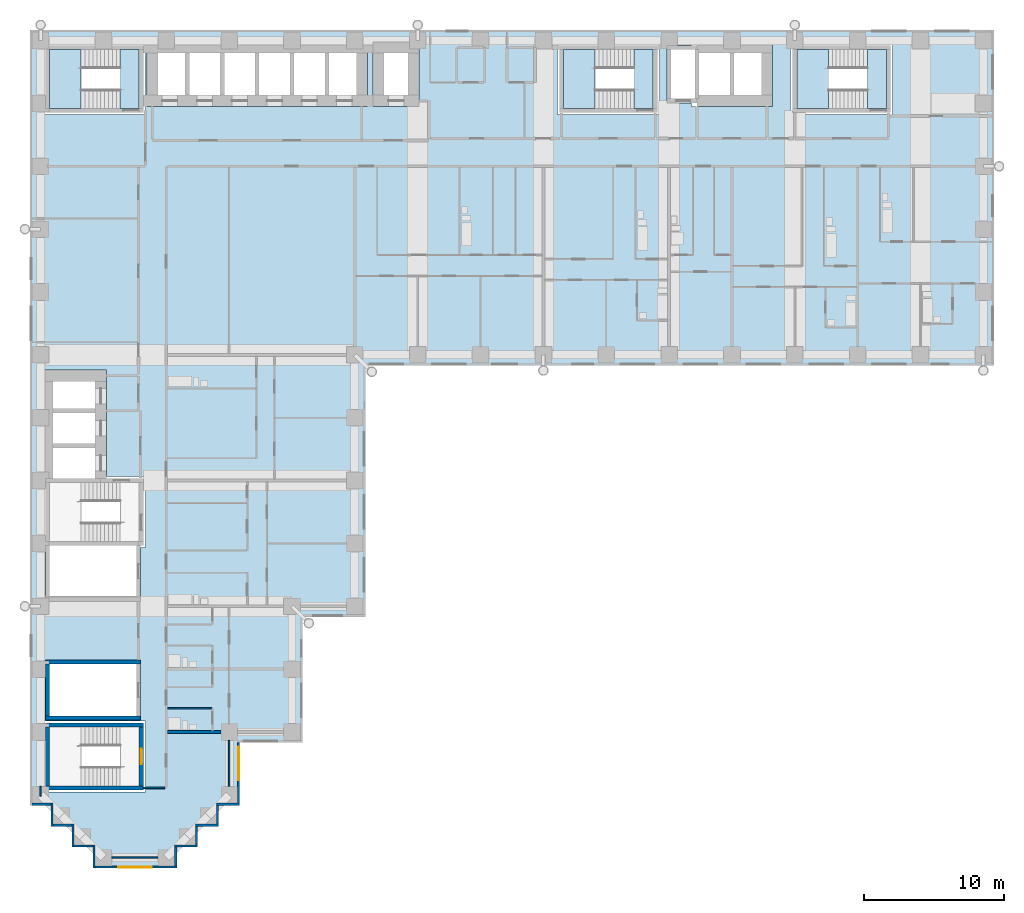
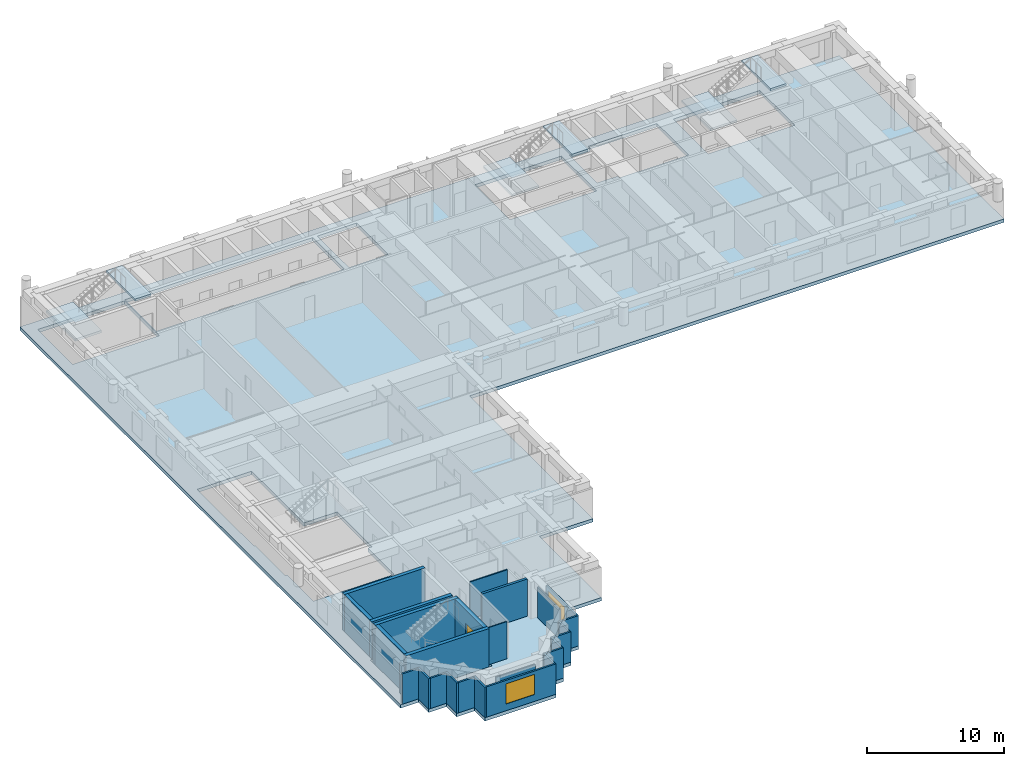
# One storey, part 3 of 14: 27 walls, 7 slabs, 2 windows, 1 door, 3 openings, 3 elements without a shape of their own.
"""IFC4 building model written with IfcOpenShell, lengths in metres."""

from ifc_helpers import new_model, si_unit, direction, frame, frame_2d, origin, place, context, subcontext, project, spatial, polyline, rectangle, outline, extrude, material, layer, layer_set, type_object, element, fill, aggregate, save


model = new_model("IFC4")

# Units and contexts
model_context = context("Model", 3, precision=1e-05, world=origin(), true_north=direction((0.0, 1.0)))
body_context = subcontext(model_context, "Body", "Model", "MODEL_VIEW")
ifc_project = project(units=[si_unit("LENGTHUNIT", "METRE"), si_unit("AREAUNIT", "SQUARE_METRE"), si_unit("VOLUMEUNIT", "CUBIC_METRE"), si_unit("PLANEANGLEUNIT", "RADIAN"), si_unit("MASSUNIT", "GRAM", prefix="KILO")], contexts=[model_context])

# Site, building, storey
site_placement = place(None, origin())
site = spatial("IfcSite", under=ifc_project, at=site_placement, CompositionType="ELEMENT")
building_placement = place(site_placement, origin())
building = spatial("IfcBuilding", under=site, at=building_placement, Name="Firuza Court", CompositionType="ELEMENT")
storey_placement = place(building_placement, frame((0.0, 0.0, 68.60009765625)))
storey = spatial("IfcBuildingStorey", under=building, at=storey_placement, Name="L16", CompositionType="ELEMENT", Elevation=68.60009765625)

# Slab
ifc_material_1 = material(Name="Concrete C40/50", Category="concrete")
ifc_layer_1 = layer(ifc_material_1, 0.300048828125)
ifc_layer_set_1 = layer_set([ifc_layer_1], Name="Concrete C40/50")
slab_type_1 = type_object("IfcSlabType", Name="Floor slab 300 C40/50", PredefinedType="FLOOR", material=ifc_layer_set_1)
slab_1_placement = place(storey_placement, frame((0.0, 0.0, -0.300048828125)))
element("IfcSlab", 1, at=slab_1_placement, inside=storey, type_object=slab_type_1, Name="Floor slab L16", PredefinedType="FLOOR", context=body_context, shape_type="SweptSolid", body=[
    extrude(outline(polyline([(3.75, -0.75), (3.75, 0.75), (2.25, 0.75), (2.25, 2.25), (0.75, 2.25), (0.75, 3.75), (-0.75, 3.75), (-0.75, 59.25), (68.25, 59.25), (68.25, 35.25), (23.25, 35.25), (23.25, 17.25), (18.75, 17.25), (18.75, 8.25), (14.25, 8.25), (14.25, 3.75), (12.75, 3.75), (12.75, 2.25), (11.25, 2.25), (11.25, 0.75), (9.75, 0.75), (9.75, -0.75), (3.75, -0.75)]), holes=[polyline([(7.5, 9.800048828125), (0.199951171875, 9.800048828125), (0.199951171875, 4.699951171875), (7.5, 4.699951171875), (7.5, 9.800048828125)]), polyline([(7.14990234375, 14.14990234375), (0.35009765625, 14.14990234375), (0.35009765625, 9.85009765625), (7.14990234375, 9.85009765625), (7.14990234375, 14.14990234375)]), polyline([(0.199951171875, 22.199951171875), (0.35009765625, 22.199951171875), (0.35009765625, 18.35009765625), (7.14990234375, 18.35009765625), (7.14990234375, 22.199951171875), (7.5, 22.199951171875), (7.5, 27.300048828125), (4.699951171875, 27.300048828125), (4.699951171875, 29.10009765625), (4.699951171875, 29.89990234375), (4.699951171875, 31.60009765625), (4.699951171875, 32.39990234375), (4.699951171875, 34.89990234375), (0.10009765625, 34.89990234375), (0.10009765625, 32.39990234375), (0.10009765625, 31.60009765625), (0.10009765625, 29.89990234375), (0.10009765625, 29.10009765625), (0.10009765625, 26.60009765625), (0.199951171875, 26.60009765625), (0.199951171875, 22.199951171875)]), polyline([(7.5, 58.300048828125), (0.199951171875, 58.300048828125), (0.199951171875, 53.199951171875), (7.5, 53.199951171875), (7.5, 58.300048828125)]), polyline([(10.10009765625, 58.39990234375), (7.60009765625, 58.39990234375), (7.60009765625, 53.800048828125), (10.10009765625, 53.800048828125), (10.89990234375, 53.800048828125), (12.60009765625, 53.800048828125), (13.39990234375, 53.800048828125), (15.10009765625, 53.800048828125), (15.89990234375, 53.800048828125), (17.60009765625, 53.800048828125), (18.39990234375, 53.800048828125), (20.10009765625, 53.800048828125), (20.89990234375, 53.800048828125), (23.39990234375, 53.800048828125), (23.39990234375, 58.39990234375), (20.89990234375, 58.39990234375), (20.10009765625, 58.39990234375), (18.39990234375, 58.39990234375), (17.60009765625, 58.39990234375), (15.89990234375, 58.39990234375), (15.10009765625, 58.39990234375), (13.39990234375, 58.39990234375), (12.60009765625, 58.39990234375), (10.89990234375, 58.39990234375), (10.10009765625, 58.39990234375)]), polyline([(44.300048828125, 58.300048828125), (37.0, 58.300048828125), (37.0, 53.199951171875), (44.300048828125, 53.199951171875), (44.300048828125, 58.300048828125)]), polyline([(61.0, 58.300048828125), (53.699951171875, 58.300048828125), (53.699951171875, 53.199951171875), (61.0, 53.199951171875), (61.0, 58.300048828125)]), polyline([(27.10009765625, 58.39990234375), (23.800048828125, 58.39990234375), (23.800048828125, 53.800048828125), (27.10009765625, 53.800048828125), (27.10009765625, 58.39990234375)]), polyline([(46.60009765625, 58.14990234375), (44.85009765625, 58.14990234375), (44.85009765625, 54.050048828125), (46.60009765625, 54.050048828125), (46.60009765625, 53.800048828125), (49.10009765625, 53.800048828125), (49.89990234375, 53.800048828125), (52.39990234375, 53.800048828125), (52.39990234375, 58.39990234375), (49.89990234375, 58.39990234375), (49.10009765625, 58.39990234375), (46.60009765625, 58.39990234375), (46.60009765625, 58.14990234375)])]), origin(), (0.0, 0.0, 1.0), 0.300048828125),
])

# Stair, slabs
ifc_material_2 = material(Name="Concrete C40/50 precast", Category="concrete")
stair_type = type_object("IfcStairType", Name="Stair 1350 x 3600 2 flights", PredefinedType="HALF_TURN_STAIR", material=ifc_material_2)
stair_1_placement = place(storey_placement, origin())
stair_1 = element("IfcStair", 2, at=stair_1_placement, inside=storey, type_object=stair_type, Name="Stair 1 L16", PredefinedType="HALF_TURN_STAIR")
ifc_material_3 = material(Name="Concrete C40/50 precast", Category="concrete")
ifc_layer_2 = layer(ifc_material_3, 0.199951171875)
ifc_layer_set_2 = layer_set([ifc_layer_2], Name="Concrete C40/50 precast")
slab_type_2 = type_object("IfcSlabType", Name="Stair landing 200", PredefinedType="LANDING", material=ifc_layer_set_2)
slab_2_placement = place(storey_placement, frame((0.0, 0.0, 1.599853515625)))
slab_2 = element("IfcSlab", 3, at=slab_2_placement, type_object=slab_type_2, Name="S1 landing 1", PredefinedType="LANDING", context=body_context, shape_type="SweptSolid", body=[
    extrude(outline(polyline([(39.699951171875, 53.64990234375), (39.699951171875, 57.85009765625), (37.449951171875, 57.85009765625), (37.449951171875, 53.64990234375), (39.699951171875, 53.64990234375)])), origin(), (0.0, 0.0, 1.0), 0.199951171875),
])
slab_3_placement = place(storey_placement, frame((0.0, 0.0, 3.39990234375)))
slab_3 = element("IfcSlab", 4, at=slab_3_placement, type_object=slab_type_2, Name="S1 landing 2", PredefinedType="LANDING", context=body_context, shape_type="SweptSolid", body=[
    extrude(outline(polyline([(43.85009765625, 53.64990234375), (43.85009765625, 57.85009765625), (42.5, 57.85009765625), (42.5, 53.64990234375), (43.85009765625, 53.64990234375)])), origin(), (0.0, 0.0, 1.0), 0.199951171875),
])
aggregate(stair_1, [slab_2, slab_3])

stair_2_placement = place(storey_placement, origin())
stair_2 = element("IfcStair", 5, at=stair_2_placement, inside=storey, type_object=stair_type, Name="Stair 3 L16", PredefinedType="HALF_TURN_STAIR")
slab_4_placement = place(storey_placement, frame((0.0, 0.0, 1.599853515625)))
slab_4 = element("IfcSlab", 6, at=slab_4_placement, type_object=slab_type_2, Name="S3 landing 1", PredefinedType="LANDING", context=body_context, shape_type="SweptSolid", body=[
    extrude(outline(polyline([(2.89990234375, 53.64990234375), (2.89990234375, 57.85009765625), (0.64990234375, 57.85009765625), (0.64990234375, 53.64990234375), (2.89990234375, 53.64990234375)])), origin(), (0.0, 0.0, 1.0), 0.199951171875),
])
slab_5_placement = place(storey_placement, frame((0.0, 0.0, 3.39990234375)))
slab_5 = element("IfcSlab", 7, at=slab_5_placement, type_object=slab_type_2, Name="S3 landing 2", PredefinedType="LANDING", context=body_context, shape_type="SweptSolid", body=[
    extrude(outline(polyline([(7.050048828125, 53.64990234375), (7.050048828125, 57.85009765625), (5.699951171875, 57.85009765625), (5.699951171875, 53.64990234375), (7.050048828125, 53.64990234375)])), origin(), (0.0, 0.0, 1.0), 0.199951171875),
])
aggregate(stair_2, [slab_4, slab_5])

stair_3_placement = place(storey_placement, origin())
stair_3 = element("IfcStair", 8, at=stair_3_placement, inside=storey, type_object=stair_type, Name="Stair 4 L16", PredefinedType="HALF_TURN_STAIR")
slab_6_placement = place(storey_placement, frame((0.0, 0.0, 1.599853515625)))
slab_6 = element("IfcSlab", 9, at=slab_6_placement, type_object=slab_type_2, Name="S4 landing 1", PredefinedType="LANDING", context=body_context, shape_type="SweptSolid", body=[
    extrude(outline(polyline([(56.39990234375, 53.64990234375), (56.39990234375, 57.85009765625), (54.14990234375, 57.85009765625), (54.14990234375, 53.64990234375), (56.39990234375, 53.64990234375)])), origin(), (0.0, 0.0, 1.0), 0.199951171875),
])
slab_7_placement = place(storey_placement, frame((0.0, 0.0, 3.39990234375)))
slab_7 = element("IfcSlab", 10, at=slab_7_placement, type_object=slab_type_2, Name="S4 landing 2", PredefinedType="LANDING", context=body_context, shape_type="SweptSolid", body=[
    extrude(outline(polyline([(60.550048828125, 53.64990234375), (60.550048828125, 57.85009765625), (59.199951171875, 57.85009765625), (59.199951171875, 53.64990234375), (60.550048828125, 53.64990234375)])), origin(), (0.0, 0.0, 1.0), 0.199951171875),
])
aggregate(stair_3, [slab_6, slab_7])

# Walls
ifc_material_4 = material(Name="Moisture-resistant gypsum board partition")
ifc_layer_3 = layer(ifc_material_4, 0.10009765625)
ifc_layer_set_3 = layer_set([ifc_layer_3], Name="Moisture-resistant gypsum board partition")
wall_type_1 = type_object("IfcWallType", Name="Bathroom partition 100", PredefinedType="PLUMBINGWALL", material=ifc_layer_set_3)
wall_1_placement = place(storey_placement, frame((9.10009765625, 10.699951171875, 0.0), z_axis=(0.0, 0.0, 1.0), x_axis=(1.0, 0.0, 0.0)))
element("IfcWall", 11, at=wall_1_placement, inside=storey, type_object=wall_type_1, Name="Bathroom partition 100 L16", PredefinedType="PLUMBINGWALL", context=body_context, shape_type="SweptSolid", body=[
    extrude(rectangle(XDim=3.14990234375, YDim=0.10009765625, at=frame_2d((1.574951171875, 0.0))), origin(), (0.0, 0.0, 1.0), 3.2998046875),
])
ifc_material_5 = material(Name="Concrete C60/75", Category="concrete")
ifc_layer_4 = layer(ifc_material_5, 0.300048828125)
ifc_layer_set_4 = layer_set([ifc_layer_4], Name="Concrete C60/75")
wall_type_2 = type_object("IfcWallType", Name="Core wall 300 C60/75", PredefinedType="SHEAR", material=ifc_layer_set_4)
for number, where, z_axis, x_axis, name in (
    (12, (0.35009765625, 5.0, -0.300048828125), (0.0, 0.0, 1.0), (1.0, 0.0, 0.0), "Core wall stair L16"),
    (13, (0.35009765625, 9.5, -0.300048828125), (0.0, 0.0, 1.0), (1.0, 0.0, 0.0), "Core wall stair L16"),
):
    element("IfcWall", number, at=place(storey_placement, frame(where, z_axis=z_axis, x_axis=x_axis)), inside=storey, type_object=wall_type_2, Name=name, PredefinedType="SHEAR", context=body_context, shape_type="SweptSolid", body=[
        extrude(rectangle(XDim=7.0, YDim=0.300048828125, at=frame_2d((3.5, 0.0))), origin(), (0.0, 0.0, 1.0), 3.599853515625),
    ])
for number, where, z_axis, x_axis, name in (
    (14, (0.35009765625, 10.0, -0.300048828125), (0.0, 0.0, 1.0), (1.0, 0.0, 0.0), "Core wall riser L16"),
    (15, (0.35009765625, 14.0, -0.300048828125), (0.0, 0.0, 1.0), (1.0, 0.0, 0.0), "Core wall riser L16"),
):
    element("IfcWall", number, at=place(storey_placement, frame(where, z_axis=z_axis, x_axis=x_axis)), inside=storey, type_object=wall_type_2, Name=name, PredefinedType="SHEAR", context=body_context, shape_type="SweptSolid", body=[
        extrude(rectangle(XDim=6.7998046875, YDim=0.300048828125, at=frame_2d((3.39990234375, 0.0))), origin(), (0.0, 0.0, 1.0), 3.599853515625),
    ])
wall_2_placement = place(storey_placement, frame((0.5, 5.14990234375, -0.300048828125), z_axis=(0.0, 0.0, 1.0), x_axis=(0.0, 1.0, 0.0)))
element("IfcWall", 16, at=wall_2_placement, inside=storey, type_object=wall_type_2, Name="Core wall stair L16", PredefinedType="SHEAR", context=body_context, shape_type="SweptSolid", body=[
    extrude(rectangle(XDim=4.2001953125, YDim=0.300048828125, at=frame_2d((2.10009765625, 0.0))), origin(), (0.0, 0.0, 1.0), 3.599853515625),
])
wall_3_placement = place(storey_placement, frame((0.5, 10.14990234375, -0.300048828125), z_axis=(0.0, 0.0, 1.0), x_axis=(0.0, 1.0, 0.0)))
element("IfcWall", 17, at=wall_3_placement, inside=storey, type_object=wall_type_2, Name="Core wall riser L16", PredefinedType="SHEAR", context=body_context, shape_type="SweptSolid", body=[
    extrude(rectangle(XDim=3.7001953125, YDim=0.300048828125, at=frame_2d((1.85009765625, 0.0))), origin(), (0.0, 0.0, 1.0), 3.599853515625),
])

# Wall, opening, door
wall_4_placement = place(storey_placement, frame((7.199951171875, 5.14990234375, -0.300048828125), z_axis=(0.0, 0.0, 1.0), x_axis=(0.0, 1.0, 0.0)))
wall_4 = element("IfcWall", 18, at=wall_4_placement, inside=storey, type_object=wall_type_2, Name="Core wall stair L16", PredefinedType="SHEAR", context=body_context, shape_type="SweptSolid", body=[
    extrude(rectangle(XDim=4.2001953125, YDim=0.300048828125, at=frame_2d((2.10009765625, 0.0))), origin(), (0.0, 0.0, 1.0), 3.599853515625),
])
opening_1_placement = place(wall_4_placement, frame((1.550048828125, 0.0, 0.300048828125)))
opening_1 = element("IfcOpeningElement", 19, at=opening_1_placement, cuts=wall_4, Name="Opening D16018", PredefinedType="OPENING", context=body_context, shape_type="SweptSolid", body=[
    extrude(rectangle(XDim=1.10009765625, YDim=2.10009765625, at=frame_2d((0.550048828125, 1.050048828125))), frame((0.0, 0.162109375, 0.0), z_axis=(0.0, -1.0, 0.0), x_axis=(1.0, 0.0, 0.0)), (0.0, 0.0, 1.0), 0.323974609375),
])
ifc_material_6 = material(Name="Timber door leaf in hardwood frame", Category="wood")
door_type = type_object("IfcDoorType", Name="Stair door 1100", OperationType="SINGLE_SWING_LEFT", PredefinedType="DOOR", material=ifc_material_6)
door_placement = place(opening_1_placement, origin())
door = element("IfcDoor", 20, at=door_placement, inside=storey, type_object=door_type, Name="Stair door S5", OperationType="SINGLE_SWING_LEFT", OverallHeight=2.10009765625, OverallWidth=1.10009765625, PredefinedType="DOOR", context=body_context, shape_type="SweptSolid", body=[
    extrude(rectangle(XDim=1.10009765625, YDim=2.10009765625, at=frame_2d((0.550048828125, 1.050048828125))), frame((0.0, 0.02490234375, 0.0), z_axis=(0.0, -1.0, 0.0), x_axis=(1.0, 0.0, 0.0)), (0.0, 0.0, 1.0), 0.050048828125),
])
fill(opening_1, door)

# Walls
ifc_material_7 = material(Name="Timber stud partition, plasterboard both sides", Category="wood")
ifc_layer_5 = layer(ifc_material_7, 0.10009765625)
ifc_layer_set_5 = layer_set([ifc_layer_5], Name="Timber stud partition, plasterboard both sides")
wall_type_3 = type_object("IfcWallType", Name="Partition wall 100", PredefinedType="PARTITIONING", material=ifc_layer_set_5)
wall_5_placement = place(storey_placement, frame((5.10009765625, 0.0, 0.0), z_axis=(0.0, 0.0, 1.0), x_axis=(1.0, 0.0, 0.0)))
element("IfcWall", 21, at=wall_5_placement, inside=storey, type_object=wall_type_3, Name="Partition wall 100 L16", PredefinedType="PARTITIONING", context=body_context, shape_type="SweptSolid", body=[
    extrude(rectangle(XDim=3.2998046875, YDim=0.10009765625, at=frame_2d((1.64990234375, 0.0))), origin(), (0.0, 0.0, 1.0), 2.699951171875),
])
wall_6_placement = place(storey_placement, frame((0.0, 4.39990234375, 0.0), z_axis=(0.0, 0.0, 1.0), x_axis=(0.0, 1.0, 0.0)))
element("IfcWall", 22, at=wall_6_placement, inside=storey, type_object=wall_type_3, Name="Partition wall 100 L16", PredefinedType="PARTITIONING", context=body_context, shape_type="SweptSolid", body=[
    extrude(rectangle(XDim=0.7001953125, YDim=0.10009765625, at=frame_2d((0.35009765625, 0.0))), origin(), (0.0, 0.0, 1.0), 2.699951171875),
])
wall_7_placement = place(storey_placement, frame((7.34912109375, 5.0, 0.0), z_axis=(0.0, 0.0, 1.0), x_axis=(1.0, 0.0, 0.0)))
element("IfcWall", 23, at=wall_7_placement, inside=storey, type_object=wall_type_3, Name="Partition wall 100 L16", PredefinedType="PARTITIONING", context=body_context, shape_type="SweptSolid", body=[
    extrude(rectangle(XDim=1.55078125, YDim=0.10009765625, at=frame_2d((0.775390625, 0.0))), origin(), (0.0, 0.0, 1.0), 3.2998046875),
])
wall_8_placement = place(storey_placement, frame((13.5, 5.10009765625, 0.0), z_axis=(0.0, 0.0, 1.0), x_axis=(0.0, 1.0, 0.0)))
element("IfcWall", 24, at=wall_8_placement, inside=storey, type_object=wall_type_3, Name="Partition wall 100 L16", PredefinedType="PARTITIONING", context=body_context, shape_type="SweptSolid", body=[
    extrude(rectangle(XDim=3.2998046875, YDim=0.10009765625, at=frame_2d((1.64990234375, 0.0))), origin(), (0.0, 0.0, 1.0), 2.699951171875),
])
ifc_material_8 = material(Name="Blockwork, plastered both sides", Category="masonry")
ifc_layer_6 = layer(ifc_material_8, 0.199951171875)
ifc_layer_set_6 = layer_set([ifc_layer_6], Name="Blockwork, plastered both sides")
wall_type_4 = type_object("IfcWallType", Name="Party wall 200", PredefinedType="PARTITIONING", material=ifc_layer_set_6)
wall_9_placement = place(storey_placement, frame((9.10009765625, 9.0, 0.0), z_axis=(0.0, 0.0, 1.0), x_axis=(1.0, 0.0, 0.0)))
element("IfcWall", 25, at=wall_9_placement, inside=storey, type_object=wall_type_4, Name="Party wall 200 L16", PredefinedType="PARTITIONING", context=body_context, shape_type="SweptSolid", body=[
    extrude(rectangle(XDim=3.7998046875, YDim=0.199951171875, at=frame_2d((1.89990234375, 0.0))), origin(), (0.0, 0.0, 1.0), 3.2998046875),
])
ifc_material_9 = material(Name="Ceramic tile", Category="ceramic")
ifc_layer_7 = layer(ifc_material_9, 0.02001953125)
ifc_material_10 = material(Name="Mineral wool insulation", Category="insulation")
ifc_layer_8 = layer(ifc_material_10, 0.050048828125)
ifc_layer_9 = layer(ifc_material_3, 0.080078125)
ifc_layer_set_7 = layer_set([ifc_layer_7, ifc_layer_8, ifc_layer_9], Name="Concrete C40/50 precast")
wall_type_5 = type_object("IfcWallType", Name="Precast cladding wall with turquoise TILE PANEL face 150", PredefinedType="STANDARD", material=ifc_layer_set_7)
wall_10_placement = place(storey_placement, frame((9.675048828125, -0.60009765625, 0.0), z_axis=(0.0, 0.0, 1.0), x_axis=(0.0, 1.0, 0.0)))
element("IfcWall", 26, at=wall_10_placement, inside=storey, type_object=wall_type_5, Name="Facade wall L16 E", PredefinedType="STANDARD", context=body_context, shape_type="SweptSolid", body=[
    extrude(rectangle(XDim=1.35009765625, YDim=0.14990234375, at=frame_2d((0.675048828125, 0.0))), origin(), (0.0, 0.0, 1.0), 2.699951171875),
])
wall_11_placement = place(storey_placement, frame((9.60009765625, 0.824951171875, 0.0), z_axis=(0.0, 0.0, 1.0), x_axis=(1.0, 0.0, 0.0)))
element("IfcWall", 27, at=wall_11_placement, inside=storey, type_object=wall_type_5, Name="Facade wall L16 S", PredefinedType="STANDARD", context=body_context, shape_type="SweptSolid", body=[
    extrude(rectangle(XDim=1.64990234375, YDim=0.14990234375, at=frame_2d((0.824951171875, 0.0))), origin(), (0.0, 0.0, 1.0), 2.699951171875),
])
wall_12_placement = place(storey_placement, frame((11.175048828125, 0.89990234375, 0.0), z_axis=(0.0, 0.0, 1.0), x_axis=(0.0, 1.0, 0.0)))
element("IfcWall", 28, at=wall_12_placement, inside=storey, type_object=wall_type_5, Name="Facade wall L16 E", PredefinedType="STANDARD", context=body_context, shape_type="SweptSolid", body=[
    extrude(rectangle(XDim=1.35009765625, YDim=0.14990234375, at=frame_2d((0.675048828125, 0.0))), origin(), (0.0, 0.0, 1.0), 2.699951171875),
])
wall_13_placement = place(storey_placement, frame((11.10009765625, 2.324951171875, 0.0), z_axis=(0.0, 0.0, 1.0), x_axis=(1.0, 0.0, 0.0)))
element("IfcWall", 29, at=wall_13_placement, inside=storey, type_object=wall_type_5, Name="Facade wall L16 S", PredefinedType="STANDARD", context=body_context, shape_type="SweptSolid", body=[
    extrude(rectangle(XDim=1.64990234375, YDim=0.14990234375, at=frame_2d((0.824951171875, 0.0))), origin(), (0.0, 0.0, 1.0), 2.699951171875),
])
wall_14_placement = place(storey_placement, frame((12.675048828125, 2.39990234375, 0.0), z_axis=(0.0, 0.0, 1.0), x_axis=(0.0, 1.0, 0.0)))
element("IfcWall", 30, at=wall_14_placement, inside=storey, type_object=wall_type_5, Name="Facade wall L16 E", PredefinedType="STANDARD", context=body_context, shape_type="SweptSolid", body=[
    extrude(rectangle(XDim=1.35009765625, YDim=0.14990234375, at=frame_2d((0.675048828125, 0.0))), origin(), (0.0, 0.0, 1.0), 2.699951171875),
])
wall_15_placement = place(storey_placement, frame((12.60009765625, 3.824951171875, 0.0), z_axis=(0.0, 0.0, 1.0), x_axis=(1.0, 0.0, 0.0)))
element("IfcWall", 31, at=wall_15_placement, inside=storey, type_object=wall_type_5, Name="Facade wall L16 S", PredefinedType="STANDARD", context=body_context, shape_type="SweptSolid", body=[
    extrude(rectangle(XDim=1.64990234375, YDim=0.14990234375, at=frame_2d((0.824951171875, 0.0))), origin(), (0.0, 0.0, 1.0), 2.699951171875),
])

# Wall, opening, window
wall_16_placement = place(storey_placement, frame((14.175048828125, 3.89990234375, 0.0), z_axis=(0.0, 0.0, 1.0), x_axis=(0.0, 1.0, 0.0)))
wall_16 = element("IfcWall", 32, at=wall_16_placement, inside=storey, type_object=wall_type_5, Name="Facade wall L16 E", PredefinedType="STANDARD", context=body_context, shape_type="SweptSolid", body=[
    extrude(rectangle(XDim=4.35009765625, YDim=0.14990234375, at=frame_2d((2.175048828125, 0.0))), origin(), (0.0, 0.0, 1.0), 2.699951171875),
])
opening_2_placement = place(wall_16_placement, frame((1.64990234375, 0.0, 0.60009765625)))
opening_2 = element("IfcOpeningElement", 33, at=opening_2_placement, cuts=wall_16, Name="Opening W1", PredefinedType="OPENING", context=body_context, shape_type="SweptSolid", body=[
    extrude(rectangle(XDim=2.39990234375, YDim=1.800048828125, at=frame_2d((1.199951171875, 0.89990234375))), frame((0.0, 0.0869140625, 0.0), z_axis=(0.0, -1.0, 0.0), x_axis=(1.0, 0.0, 0.0)), (0.0, 0.0, 1.0), 0.173828125),
])
ifc_material_11 = material(Name="Aluminium frame, triple clear glazing", Category="aluminium")
window_type = type_object("IfcWindowType", Name="Window W1 2400 x 1800", PartitioningType="SINGLE_PANEL", PredefinedType="WINDOW", material=ifc_material_11)
window_1_placement = place(opening_2_placement, origin())
window_1 = element("IfcWindow", 34, at=window_1_placement, inside=storey, type_object=window_type, Name="Window L16", OverallHeight=1.800048828125, OverallWidth=2.39990234375, PartitioningType="SINGLE_PANEL", PredefinedType="WINDOW", context=body_context, shape_type="SweptSolid", body=[
    extrude(rectangle(XDim=2.39990234375, YDim=1.800048828125, at=frame_2d((1.199951171875, 0.89990234375))), frame((0.0, 0.030029296875, 0.0), z_axis=(0.0, -1.0, 0.0), x_axis=(1.0, 0.0, 0.0)), (0.0, 0.0, 1.0), 0.06005859375),
])
fill(opening_2, window_1)

# Walls
wall_17_placement = place(storey_placement, frame((-0.60009765625, 3.824951171875, 0.0), z_axis=(0.0, 0.0, 1.0), x_axis=(1.0, 0.0, 0.0)))
element("IfcWall", 35, at=wall_17_placement, inside=storey, type_object=wall_type_5, Name="Facade wall L16 S", PredefinedType="STANDARD", context=body_context, shape_type="SweptSolid", body=[
    extrude(rectangle(XDim=1.35009765625, YDim=0.14990234375, at=frame_2d((0.675048828125, 0.0))), origin(), (0.0, 0.0, 1.0), 2.699951171875),
])
wall_18_placement = place(storey_placement, frame((0.824951171875, 3.89990234375, 0.0), z_axis=(0.0, 0.0, 1.0), x_axis=(0.0, -1.0, 0.0)))
element("IfcWall", 36, at=wall_18_placement, inside=storey, type_object=wall_type_5, Name="Facade wall L16 W", PredefinedType="STANDARD", context=body_context, shape_type="SweptSolid", body=[
    extrude(rectangle(XDim=1.64990234375, YDim=0.14990234375, at=frame_2d((0.824951171875, 0.0))), origin(), (0.0, 0.0, 1.0), 2.699951171875),
])
wall_19_placement = place(storey_placement, frame((0.89990234375, 2.324951171875, 0.0), z_axis=(0.0, 0.0, 1.0), x_axis=(1.0, 0.0, 0.0)))
element("IfcWall", 37, at=wall_19_placement, inside=storey, type_object=wall_type_5, Name="Facade wall L16 S", PredefinedType="STANDARD", context=body_context, shape_type="SweptSolid", body=[
    extrude(rectangle(XDim=1.35009765625, YDim=0.14990234375, at=frame_2d((0.675048828125, 0.0))), origin(), (0.0, 0.0, 1.0), 2.699951171875),
])
wall_20_placement = place(storey_placement, frame((2.324951171875, 2.39990234375, 0.0), z_axis=(0.0, 0.0, 1.0), x_axis=(0.0, -1.0, 0.0)))
element("IfcWall", 38, at=wall_20_placement, inside=storey, type_object=wall_type_5, Name="Facade wall L16 W", PredefinedType="STANDARD", context=body_context, shape_type="SweptSolid", body=[
    extrude(rectangle(XDim=1.64990234375, YDim=0.14990234375, at=frame_2d((0.824951171875, 0.0))), origin(), (0.0, 0.0, 1.0), 2.699951171875),
])
wall_21_placement = place(storey_placement, frame((2.39990234375, 0.824951171875, 0.0), z_axis=(0.0, 0.0, 1.0), x_axis=(1.0, 0.0, 0.0)))
element("IfcWall", 39, at=wall_21_placement, inside=storey, type_object=wall_type_5, Name="Facade wall L16 S", PredefinedType="STANDARD", context=body_context, shape_type="SweptSolid", body=[
    extrude(rectangle(XDim=1.35009765625, YDim=0.14990234375, at=frame_2d((0.675048828125, 0.0))), origin(), (0.0, 0.0, 1.0), 2.699951171875),
])
wall_22_placement = place(storey_placement, frame((3.824951171875, 0.89990234375, 0.0), z_axis=(0.0, 0.0, 1.0), x_axis=(0.0, -1.0, 0.0)))
element("IfcWall", 40, at=wall_22_placement, inside=storey, type_object=wall_type_5, Name="Facade wall L16 W", PredefinedType="STANDARD", context=body_context, shape_type="SweptSolid", body=[
    extrude(rectangle(XDim=1.64990234375, YDim=0.14990234375, at=frame_2d((0.824951171875, 0.0))), origin(), (0.0, 0.0, 1.0), 2.699951171875),
])

# Wall, opening, window
wall_23_placement = place(storey_placement, frame((3.89990234375, -0.675048828125, 0.0), z_axis=(0.0, 0.0, 1.0), x_axis=(1.0, 0.0, 0.0)))
wall_23 = element("IfcWall", 41, at=wall_23_placement, inside=storey, type_object=wall_type_5, Name="Facade wall L16 S", PredefinedType="STANDARD", context=body_context, shape_type="SweptSolid", body=[
    extrude(rectangle(XDim=5.85009765625, YDim=0.14990234375, at=frame_2d((2.925048828125, 0.0))), origin(), (0.0, 0.0, 1.0), 2.699951171875),
])
opening_3_placement = place(wall_23_placement, frame((1.64990234375, 0.0, 0.60009765625)))
opening_3 = element("IfcOpeningElement", 42, at=opening_3_placement, cuts=wall_23, Name="Opening W1", PredefinedType="OPENING", context=body_context, shape_type="SweptSolid", body=[
    extrude(rectangle(XDim=2.39990234375, YDim=1.800048828125, at=frame_2d((1.199951171875, 0.89990234375))), frame((0.0, 0.0869140625, 0.0), z_axis=(0.0, -1.0, 0.0), x_axis=(1.0, 0.0, 0.0)), (0.0, 0.0, 1.0), 0.173828125),
])
window_2_placement = place(opening_3_placement, origin())
window_2 = element("IfcWindow", 43, at=window_2_placement, inside=storey, type_object=window_type, Name="Window L16", OverallHeight=1.800048828125, OverallWidth=2.39990234375, PartitioningType="SINGLE_PANEL", PredefinedType="WINDOW", context=body_context, shape_type="SweptSolid", body=[
    extrude(rectangle(XDim=2.39990234375, YDim=1.800048828125, at=frame_2d((1.199951171875, 0.89990234375))), frame((0.0, 0.030029296875, 0.0), z_axis=(0.0, -1.0, 0.0), x_axis=(1.0, 0.0, 0.0)), (0.0, 0.0, 1.0), 0.06005859375),
])
fill(opening_3, window_2)

save(model, "model.ifc")
